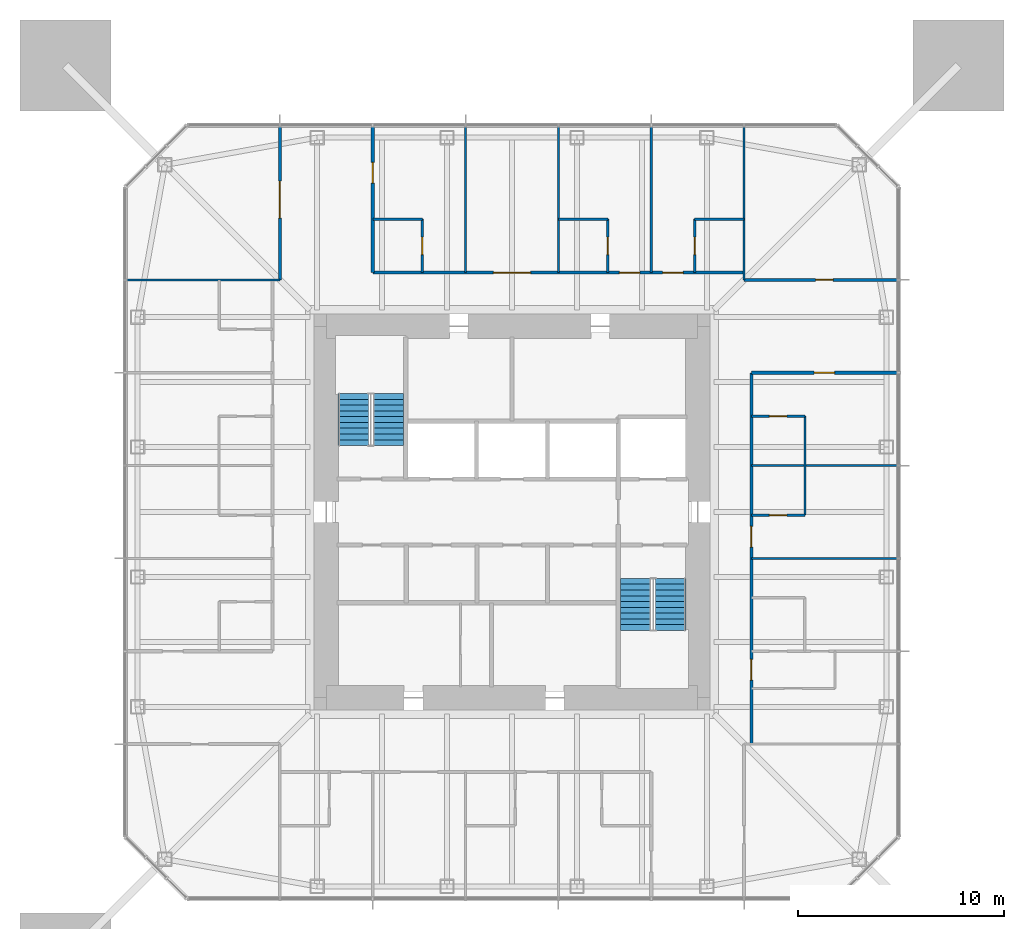
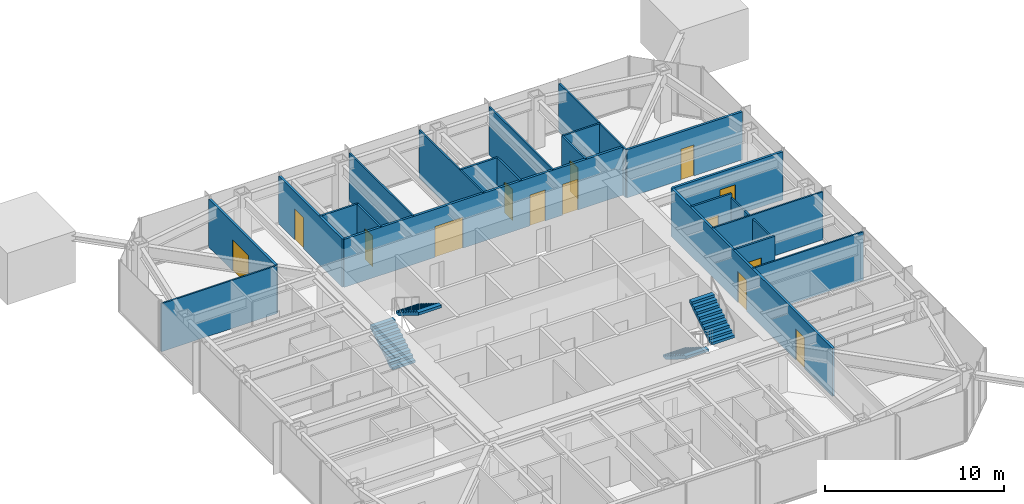
# One storey, part 8 of 11: 22 walls, 14 doors, 4 stair flights, 14 openings, 2 elements without a shape of their own.
"""IFC4 building model written with IfcOpenShell, lengths in metres."""

from ifc_helpers import new_model, si_unit, direction, frame, frame_2d, origin, place, context, subcontext, project, spatial, polyline, rectangle, outline, extrude, material, layer, layer_set, constituent, constituent_set, type_object, element, fill, aggregate, save


model = new_model("IFC4")

# Units and contexts
model_context = context("Model", 3, precision=1e-05, world=origin(), true_north=direction((0.0, 1.0)))
body_context = subcontext(model_context, "Body", "Model", "MODEL_VIEW")
ifc_project = project(units=[si_unit("LENGTHUNIT", "METRE"), si_unit("AREAUNIT", "SQUARE_METRE"), si_unit("VOLUMEUNIT", "CUBIC_METRE"), si_unit("PLANEANGLEUNIT", "RADIAN"), si_unit("MASSUNIT", "GRAM", prefix="KILO")], contexts=[model_context])

# Site, building, storey
site_placement = place(None, origin())
site = spatial("IfcSite", under=ifc_project, at=site_placement, CompositionType="ELEMENT")
building_placement = place(site_placement, origin())
building = spatial("IfcBuilding", under=site, at=building_placement, Name="Iwan Alto Co-Living Towers", CompositionType="ELEMENT")
storey_placement = place(building_placement, frame((0.0, 0.0, 156.5)))
storey = spatial("IfcBuildingStorey", under=building, at=storey_placement, Name="L42", CompositionType="ELEMENT", Elevation=156.5)

# Wall, opening, door
ifc_material_1 = material(Name="Gypsum board")
ifc_layer_1 = layer(ifc_material_1, 0.02490234375, Name="Board", Category="Finish")
ifc_material_2 = material(Name="Steel ASTM A1003 ST33H cold-formed studs", Category="steel")
ifc_layer_2 = layer(ifc_material_2, 0.10009765625, Name="Studs", Category="Framing")
ifc_layer_3 = layer(ifc_material_1, 0.02490234375, Name="Board", Category="Finish")
ifc_layer_set_1 = layer_set([ifc_layer_1, ifc_layer_2, ifc_layer_3], Name="CORRIDOR WALL 150")
wall_type_1 = type_object("IfcWallType", Name="CORRIDOR WALL 150", PredefinedType="PARTITIONING", material=ifc_layer_set_1)
wall_1_placement = place(storey_placement, frame((11.60009765625, 6.75, 0.0), z_axis=(0.0, 0.0, 1.0), x_axis=(1.0, 0.0, 0.0)))
wall_1 = element("IfcWall", 1, at=wall_1_placement, inside=storey, type_object=wall_type_1, Name="Partition L42", PredefinedType="PARTITIONING", context=body_context, shape_type="SweptSolid", body=[
    extrude(rectangle(XDim=7.08984375, YDim=0.14990234375, at=frame_2d((3.544921875, 0.0))), origin(), (0.0, 0.0, 1.0), 3.27001953125),
])
opening_1_placement = place(wall_1_placement, frame((3.044921875, 0.0, 0.0)))
opening_1 = element("IfcOpeningElement", 2, at=opening_1_placement, cuts=wall_1, Name="Opening D3", PredefinedType="OPENING", context=body_context, shape_type="SweptSolid", body=[
    extrude(rectangle(XDim=1.0, YDim=2.10009765625, at=frame_2d((0.5, 1.050048828125))), frame((0.0, 0.0849609375, 0.0), z_axis=(0.0, -1.0, 0.0), x_axis=(1.0, 0.0, 0.0)), (0.0, 0.0, 1.0), 0.169921875),
])
ifc_material_3 = material(Name="Steel frame with timber leaf", Category="steel")
door_type_1 = type_object("IfcDoorType", Name="FLAT ENTRANCE DOOR FD30S 1000X2100", OperationType="SINGLE_SWING_LEFT", PredefinedType="DOOR", material=ifc_material_3)
door_1_placement = place(opening_1_placement, frame((1.0, 0.0, 0.0), z_axis=(0.0, 0.0, 1.0), x_axis=(-1.0, 0.0, 0.0)))
door_1 = element("IfcDoor", 3, at=door_1_placement, inside=storey, type_object=door_type_1, Name="Studio door L42", OperationType="SINGLE_SWING_RIGHT", OverallHeight=2.10009765625, OverallWidth=1.0, PredefinedType="DOOR", context=body_context, shape_type="SweptSolid", body=[
    extrude(rectangle(XDim=1.0, YDim=2.10009765625, at=frame_2d((0.5, 1.050048828125))), frame((0.0, 0.02490234375, 0.0), z_axis=(0.0, -1.0, 0.0), x_axis=(1.0, 0.0, 0.0)), (0.0, 0.0, 1.0), 0.050048828125),
])
fill(opening_1, door_1)

wall_2_placement = place(storey_placement, frame((11.25, 11.25, 0.0), z_axis=(0.0, 0.0, 1.0), x_axis=(1.0, 0.0, 0.0)))
wall_2 = element("IfcWall", 4, at=wall_2_placement, inside=storey, type_object=wall_type_1, Name="Partition L42", PredefinedType="PARTITIONING", context=body_context, shape_type="SweptSolid", body=[
    extrude(rectangle(XDim=7.43994140625, YDim=0.14990234375, at=frame_2d((3.719970703125, 0.0))), origin(), (0.0, 0.0, 1.0), 3.27001953125),
])
opening_2_placement = place(wall_2_placement, frame((3.469970703125, 0.0, 0.0)))
opening_2 = element("IfcOpeningElement", 5, at=opening_2_placement, cuts=wall_2, Name="Opening D2", PredefinedType="OPENING", context=body_context, shape_type="SweptSolid", body=[
    extrude(rectangle(XDim=0.85009765625, YDim=2.10009765625, at=frame_2d((0.425048828125, 1.050048828125))), frame((0.0, 0.0849609375, 0.0), z_axis=(0.0, -1.0, 0.0), x_axis=(1.0, 0.0, 0.0)), (0.0, 0.0, 1.0), 0.169921875),
])
ifc_material_4 = material(Name="Timber leaf in steel frame", Category="steel")
door_type_2 = type_object("IfcDoorType", Name="ROOM DOOR 850X2100", OperationType="SINGLE_SWING_LEFT", PredefinedType="DOOR", material=ifc_material_4)
door_2_placement = place(opening_2_placement, origin())
door_2 = element("IfcDoor", 6, at=door_2_placement, inside=storey, type_object=door_type_2, Name="Shared kitchen and lounge door L42", OperationType="SINGLE_SWING_RIGHT", OverallHeight=2.10009765625, OverallWidth=0.85009765625, PredefinedType="DOOR", context=body_context, shape_type="SweptSolid", body=[
    extrude(rectangle(XDim=0.85009765625, YDim=2.10009765625, at=frame_2d((0.425048828125, 1.050048828125))), frame((0.0, 0.02490234375, 0.0), z_axis=(0.0, -1.0, 0.0), x_axis=(1.0, 0.0, 0.0)), (0.0, 0.0, 1.0), 0.050048828125),
])
fill(opening_2, door_2)

# Wall, openings, doors
wall_3_placement = place(storey_placement, frame((-6.75, 11.60009765625, 0.0), z_axis=(0.0, 0.0, 1.0), x_axis=(1.0, 0.0, 0.0)))
wall_3 = element("IfcWall", 7, at=wall_3_placement, inside=storey, type_object=wall_type_1, Name="Partition L42", PredefinedType="PARTITIONING", context=body_context, shape_type="SweptSolid", body=[
    extrude(rectangle(XDim=18.0, YDim=0.14990234375, at=frame_2d((9.0, 0.0))), origin(), (0.0, 0.0, 1.0), 3.27001953125),
])
opening_3_placement = place(wall_3_placement, frame((14.050048828125, 0.0, 0.0)))
opening_3 = element("IfcOpeningElement", 8, at=opening_3_placement, cuts=wall_3, Name="Opening D3", PredefinedType="OPENING", context=body_context, shape_type="SweptSolid", body=[
    extrude(rectangle(XDim=1.0, YDim=2.10009765625, at=frame_2d((0.5, 1.050048828125))), frame((0.0, 0.0849609375, 0.0), z_axis=(0.0, -1.0, 0.0), x_axis=(1.0, 0.0, 0.0)), (0.0, 0.0, 1.0), 0.169921875),
])
opening_4_placement = place(wall_3_placement, frame((11.949951171875, 0.0, 0.0)))
opening_4 = element("IfcOpeningElement", 9, at=opening_4_placement, cuts=wall_3, Name="Opening D3", PredefinedType="OPENING", context=body_context, shape_type="SweptSolid", body=[
    extrude(rectangle(XDim=1.0, YDim=2.10009765625, at=frame_2d((0.5, 1.050048828125))), frame((0.0, 0.0849609375, 0.0), z_axis=(0.0, -1.0, 0.0), x_axis=(1.0, 0.0, 0.0)), (0.0, 0.0, 1.0), 0.169921875),
])
opening_5_placement = place(wall_3_placement, frame((5.85009765625, 0.0, 0.0)))
opening_5 = element("IfcOpeningElement", 10, at=opening_5_placement, cuts=wall_3, Name="Opening D9", PredefinedType="OPENING", context=body_context, shape_type="SweptSolid", body=[
    extrude(rectangle(XDim=1.800048828125, YDim=2.10009765625, at=frame_2d((0.89990234375, 1.050048828125))), frame((0.0, 0.0849609375, 0.0), z_axis=(0.0, -1.0, 0.0), x_axis=(1.0, 0.0, 0.0)), (0.0, 0.0, 1.0), 0.169921875),
])
door_3_placement = place(opening_3_placement, origin())
door_3 = element("IfcDoor", 11, at=door_3_placement, inside=storey, type_object=door_type_1, Name="Studio door L42", OperationType="SINGLE_SWING_LEFT", OverallHeight=2.10009765625, OverallWidth=1.0, PredefinedType="DOOR", context=body_context, shape_type="SweptSolid", body=[
    extrude(rectangle(XDim=1.0, YDim=2.10009765625, at=frame_2d((0.5, 1.050048828125))), frame((0.0, 0.02490234375, 0.0), z_axis=(0.0, -1.0, 0.0), x_axis=(1.0, 0.0, 0.0)), (0.0, 0.0, 1.0), 0.050048828125),
])
fill(opening_3, door_3)
door_4_placement = place(opening_4_placement, origin())
door_4 = element("IfcDoor", 12, at=door_4_placement, inside=storey, type_object=door_type_1, Name="Studio door L42", OperationType="SINGLE_SWING_LEFT", OverallHeight=2.10009765625, OverallWidth=1.0, PredefinedType="DOOR", context=body_context, shape_type="SweptSolid", body=[
    extrude(rectangle(XDim=1.0, YDim=2.10009765625, at=frame_2d((0.5, 1.050048828125))), frame((0.0, 0.02490234375, 0.0), z_axis=(0.0, -1.0, 0.0), x_axis=(1.0, 0.0, 0.0)), (0.0, 0.0, 1.0), 0.050048828125),
])
fill(opening_4, door_4)
ifc_material_5 = material(Name="Steel frame with timber leaf", Category="steel")
door_type_3 = type_object("IfcDoorType", Name="LOUNGE DOOR FD30S 1800X2100", OperationType="DOUBLE_DOOR_SINGLE_SWING", PredefinedType="DOOR", material=ifc_material_5)
door_5_placement = place(opening_5_placement, origin())
door_5 = element("IfcDoor", 13, at=door_5_placement, inside=storey, type_object=door_type_3, Name="Seminar room door L42", OperationType="DOUBLE_DOOR_SINGLE_SWING", OverallHeight=2.10009765625, OverallWidth=1.800048828125, PredefinedType="DOOR", context=body_context, shape_type="SweptSolid", body=[
    extrude(rectangle(XDim=1.800048828125, YDim=2.10009765625, at=frame_2d((0.89990234375, 1.050048828125))), frame((0.0, 0.02490234375, 0.0), z_axis=(0.0, -1.0, 0.0), x_axis=(1.0, 0.0, 0.0)), (0.0, 0.0, 1.0), 0.050048828125),
])
fill(opening_5, door_5)

wall_4_placement = place(storey_placement, frame((11.60009765625, -11.25, 0.0), z_axis=(0.0, 0.0, 1.0), x_axis=(0.0, 1.0, 0.0)))
wall_4 = element("IfcWall", 14, at=wall_4_placement, inside=storey, type_object=wall_type_1, Name="Partition L42", PredefinedType="PARTITIONING", context=body_context, shape_type="SweptSolid", body=[
    extrude(rectangle(XDim=18.0, YDim=0.14990234375, at=frame_2d((9.0, 0.0))), origin(), (0.0, 0.0, 1.0), 3.27001953125),
])
opening_6_placement = place(wall_4_placement, frame((3.10009765625, 0.0, 0.0)))
opening_6 = element("IfcOpeningElement", 15, at=opening_6_placement, cuts=wall_4, Name="Opening D3", PredefinedType="OPENING", context=body_context, shape_type="SweptSolid", body=[
    extrude(rectangle(XDim=1.0, YDim=2.10009765625, at=frame_2d((0.5, 1.050048828125))), frame((0.0, 0.0849609375, 0.0), z_axis=(0.0, -1.0, 0.0), x_axis=(1.0, 0.0, 0.0)), (0.0, 0.0, 1.0), 0.169921875),
])
opening_7_placement = place(wall_4_placement, frame((9.550048828125, 0.0, 0.0)))
opening_7 = element("IfcOpeningElement", 16, at=opening_7_placement, cuts=wall_4, Name="Opening D3", PredefinedType="OPENING", context=body_context, shape_type="SweptSolid", body=[
    extrude(rectangle(XDim=1.0, YDim=2.10009765625, at=frame_2d((0.5, 1.050048828125))), frame((0.0, 0.0849609375, 0.0), z_axis=(0.0, -1.0, 0.0), x_axis=(1.0, 0.0, 0.0)), (0.0, 0.0, 1.0), 0.169921875),
])
door_6_placement = place(opening_6_placement, frame((1.0, 0.0, 0.0), z_axis=(0.0, 0.0, 1.0), x_axis=(-1.0, 0.0, 0.0)))
door_6 = element("IfcDoor", 17, at=door_6_placement, inside=storey, type_object=door_type_1, Name="Apartment foyer door L42", OperationType="SINGLE_SWING_RIGHT", OverallHeight=2.10009765625, OverallWidth=1.0, PredefinedType="DOOR", context=body_context, shape_type="SweptSolid", body=[
    extrude(rectangle(XDim=1.0, YDim=2.10009765625, at=frame_2d((0.5, 1.050048828125))), frame((0.0, 0.02490234375, 0.0), z_axis=(0.0, -1.0, 0.0), x_axis=(1.0, 0.0, 0.0)), (0.0, 0.0, 1.0), 0.050048828125),
])
fill(opening_6, door_6)
door_7_placement = place(opening_7_placement, frame((1.0, 0.0, 0.0), z_axis=(0.0, 0.0, 1.0), x_axis=(-1.0, 0.0, 0.0)))
door_7 = element("IfcDoor", 18, at=door_7_placement, inside=storey, type_object=door_type_1, Name="Studio door L42", OperationType="SINGLE_SWING_RIGHT", OverallHeight=2.10009765625, OverallWidth=1.0, PredefinedType="DOOR", context=body_context, shape_type="SweptSolid", body=[
    extrude(rectangle(XDim=1.0, YDim=2.10009765625, at=frame_2d((0.5, 1.050048828125))), frame((0.0, 0.02490234375, 0.0), z_axis=(0.0, -1.0, 0.0), x_axis=(1.0, 0.0, 0.0)), (0.0, 0.0, 1.0), 0.050048828125),
])
fill(opening_7, door_7)

# Wall, opening, door
wall_5_placement = place(storey_placement, frame((-6.75, 11.60009765625, 0.0), z_axis=(0.0, 0.0, 1.0), x_axis=(0.0, 1.0, 0.0)))
wall_5 = element("IfcWall", 19, at=wall_5_placement, inside=storey, type_object=wall_type_1, Name="Partition L42", PredefinedType="PARTITIONING", context=body_context, shape_type="SweptSolid", body=[
    extrude(rectangle(XDim=7.08984375, YDim=0.14990234375, at=frame_2d((3.544921875, 0.0))), origin(), (0.0, 0.0, 1.0), 3.27001953125),
])
opening_8_placement = place(wall_5_placement, frame((4.344970703125, 0.0, 0.0)))
opening_8 = element("IfcOpeningElement", 20, at=opening_8_placement, cuts=wall_5, Name="Opening D3", PredefinedType="OPENING", context=body_context, shape_type="SweptSolid", body=[
    extrude(rectangle(XDim=1.0, YDim=2.10009765625, at=frame_2d((0.5, 1.050048828125))), frame((0.0, 0.0849609375, 0.0), z_axis=(0.0, -1.0, 0.0), x_axis=(1.0, 0.0, 0.0)), (0.0, 0.0, 1.0), 0.169921875),
])
door_8_placement = place(opening_8_placement, frame((1.0, 0.0, 0.0), z_axis=(0.0, 0.0, 1.0), x_axis=(-1.0, 0.0, 0.0)))
door_8 = element("IfcDoor", 21, at=door_8_placement, inside=storey, type_object=door_type_1, Name="Studio door L42", OperationType="SINGLE_SWING_RIGHT", OverallHeight=2.10009765625, OverallWidth=1.0, PredefinedType="DOOR", context=body_context, shape_type="SweptSolid", body=[
    extrude(rectangle(XDim=1.0, YDim=2.10009765625, at=frame_2d((0.5, 1.050048828125))), frame((0.0, 0.02490234375, 0.0), z_axis=(0.0, -1.0, 0.0), x_axis=(1.0, 0.0, 0.0)), (0.0, 0.0, 1.0), 0.050048828125),
])
fill(opening_8, door_8)

wall_6_placement = place(storey_placement, frame((-11.25, 11.25, 0.0), z_axis=(0.0, 0.0, 1.0), x_axis=(0.0, 1.0, 0.0)))
wall_6 = element("IfcWall", 22, at=wall_6_placement, inside=storey, type_object=wall_type_1, Name="Partition L42", PredefinedType="PARTITIONING", context=body_context, shape_type="SweptSolid", body=[
    extrude(rectangle(XDim=7.43994140625, YDim=0.14990234375, at=frame_2d((3.719970703125, 0.0))), origin(), (0.0, 0.0, 1.0), 3.27001953125),
])
opening_9_placement = place(wall_6_placement, frame((2.9951171875, 0.0, 0.0)))
opening_9 = element("IfcOpeningElement", 23, at=opening_9_placement, cuts=wall_6, Name="Opening D9", PredefinedType="OPENING", context=body_context, shape_type="SweptSolid", body=[
    extrude(rectangle(XDim=1.800048828125, YDim=2.10009765625, at=frame_2d((0.89990234375, 1.050048828125))), frame((0.0, 0.0849609375, 0.0), z_axis=(0.0, -1.0, 0.0), x_axis=(1.0, 0.0, 0.0)), (0.0, 0.0, 1.0), 0.169921875),
])
door_9_placement = place(opening_9_placement, origin())
door_9 = element("IfcDoor", 24, at=door_9_placement, inside=storey, type_object=door_type_3, Name="Courtyard lounge door L42", OperationType="DOUBLE_DOOR_SINGLE_SWING", OverallHeight=2.10009765625, OverallWidth=1.800048828125, PredefinedType="DOOR", context=body_context, shape_type="SweptSolid", body=[
    extrude(rectangle(XDim=1.800048828125, YDim=2.10009765625, at=frame_2d((0.89990234375, 1.050048828125))), frame((0.0, 0.02490234375, 0.0), z_axis=(0.0, -1.0, 0.0), x_axis=(1.0, 0.0, 0.0)), (0.0, 0.0, 1.0), 0.050048828125),
])
fill(opening_9, door_9)

# Walls
ifc_layer_4 = layer(ifc_material_1, 0.012451171875, Name="Board", Category="Finish")
ifc_layer_5 = layer(ifc_material_2, 0.074951171875, Name="Studs", Category="Framing")
ifc_layer_6 = layer(ifc_material_1, 0.012451171875, Name="Board", Category="Finish")
ifc_layer_set_2 = layer_set([ifc_layer_4, ifc_layer_5, ifc_layer_6], Name="PARTITION 100")
wall_type_2 = type_object("IfcWallType", Name="PARTITION 100", PredefinedType="PARTITIONING", material=ifc_layer_set_2)
for number, where, z_axis, x_axis, name in (
    (25, (11.60009765625, -2.25, 0.0), (0.0, 0.0, 1.0), (1.0, 0.0, 0.0), "Partition L42"),
    (26, (11.60009765625, 2.25, 0.0), (0.0, 0.0, 1.0), (1.0, 0.0, 0.0), "Partition L42"),
):
    element("IfcWall", number, at=place(storey_placement, frame(where, z_axis=z_axis, x_axis=x_axis)), inside=storey, type_object=wall_type_2, Name=name, PredefinedType="PARTITIONING", context=body_context, shape_type="SweptSolid", body=[
        extrude(rectangle(XDim=7.08984375, YDim=0.10009765625, at=frame_2d((3.544921875, 0.0))), origin(), (0.0, 0.0, 1.0), 3.27001953125),
    ])
wall_7_placement = place(storey_placement, frame((-18.68994140625, 11.25, 0.0), z_axis=(0.0, 0.0, 1.0), x_axis=(1.0, 0.0, 0.0)))
element("IfcWall", 27, at=wall_7_placement, inside=storey, type_object=wall_type_2, Name="Partition L42", PredefinedType="PARTITIONING", context=body_context, shape_type="SweptSolid", body=[
    extrude(rectangle(XDim=7.43994140625, YDim=0.10009765625, at=frame_2d((3.719970703125, 0.0))), origin(), (0.0, 0.0, 1.0), 3.27001953125),
])
wall_8_placement = place(storey_placement, frame((14.199951171875, -0.14990234375, 0.0), z_axis=(0.0, 0.0, 1.0), x_axis=(0.0, 1.0, 0.0)))
element("IfcWall", 28, at=wall_8_placement, inside=storey, type_object=wall_type_2, Name="Partition L42", PredefinedType="PARTITIONING", context=body_context, shape_type="SweptSolid", body=[
    extrude(rectangle(XDim=4.7998046875, YDim=0.10009765625, at=frame_2d((2.39990234375, 0.0))), origin(), (0.0, 0.0, 1.0), 3.0),
])
wall_9_placement = place(storey_placement, frame((11.25, 11.25, 0.0), z_axis=(0.0, 0.0, 1.0), x_axis=(0.0, 1.0, 0.0)))
element("IfcWall", 29, at=wall_9_placement, inside=storey, type_object=wall_type_2, Name="Partition L42", PredefinedType="PARTITIONING", context=body_context, shape_type="SweptSolid", body=[
    extrude(rectangle(XDim=7.43994140625, YDim=0.10009765625, at=frame_2d((3.719970703125, 0.0))), origin(), (0.0, 0.0, 1.0), 3.27001953125),
])
for number, where, z_axis, x_axis, name in (
    (30, (6.75, 11.60009765625, 0.0), (0.0, 0.0, 1.0), (0.0, 1.0, 0.0), "Partition L42"),
    (31, (2.25, 11.60009765625, 0.0), (0.0, 0.0, 1.0), (0.0, 1.0, 0.0), "Partition L42"),
    (32, (-2.25, 11.60009765625, 0.0), (0.0, 0.0, 1.0), (0.0, 1.0, 0.0), "Partition L42"),
):
    element("IfcWall", number, at=place(storey_placement, frame(where, z_axis=z_axis, x_axis=x_axis)), inside=storey, type_object=wall_type_2, Name=name, PredefinedType="PARTITIONING", context=body_context, shape_type="SweptSolid", body=[
        extrude(rectangle(XDim=7.08984375, YDim=0.10009765625, at=frame_2d((3.544921875, 0.0))), origin(), (0.0, 0.0, 1.0), 3.27001953125),
    ])

# Wall, opening, door
ifc_material_6 = material(Name="Cement board")
ifc_layer_7 = layer(ifc_material_6, 0.012451171875, Name="Board", Category="Finish")
ifc_layer_8 = layer(ifc_material_2, 0.094970703125, Name="Studs", Category="Framing")
ifc_layer_9 = layer(ifc_material_6, 0.012451171875, Name="Board", Category="Finish")
ifc_layer_set_3 = layer_set([ifc_layer_7, ifc_layer_8, ifc_layer_9], Name="WET AREA PARTITION 120")
wall_type_3 = type_object("IfcWallType", Name="WET AREA PARTITION 120", PredefinedType="PARTITIONING", material=ifc_layer_set_3)
wall_10_placement = place(storey_placement, frame((11.60009765625, -0.14990234375, 0.0), z_axis=(0.0, 0.0, 1.0), x_axis=(1.0, 0.0, 0.0)))
wall_10 = element("IfcWall", 33, at=wall_10_placement, inside=storey, type_object=wall_type_3, Name="Partition L42", PredefinedType="PARTITIONING", context=body_context, shape_type="SweptSolid", body=[
    extrude(rectangle(XDim=2.599853515625, YDim=0.1201171875, at=frame_2d((1.2998046875, 0.0))), origin(), (0.0, 0.0, 1.0), 3.27001953125),
])
opening_10_placement = place(wall_10_placement, frame((0.875, 0.0, 0.0)))
opening_10 = element("IfcOpeningElement", 34, at=opening_10_placement, cuts=wall_10, Name="Opening D2", PredefinedType="OPENING", context=body_context, shape_type="SweptSolid", body=[
    extrude(rectangle(XDim=0.85009765625, YDim=2.10009765625, at=frame_2d((0.425048828125, 1.050048828125))), frame((0.0, 0.070068359375, 0.0), z_axis=(0.0, -1.0, 0.0), x_axis=(1.0, 0.0, 0.0)), (0.0, 0.0, 1.0), 0.14013671875),
])
door_10_placement = place(opening_10_placement, frame((0.85009765625, 0.0, 0.0), z_axis=(0.0, 0.0, 1.0), x_axis=(-1.0, 0.0, 0.0)))
door_10 = element("IfcDoor", 35, at=door_10_placement, inside=storey, type_object=door_type_2, Name="En-suite shower room door L42", OperationType="SINGLE_SWING_RIGHT", OverallHeight=2.10009765625, OverallWidth=0.85009765625, PredefinedType="DOOR", context=body_context, shape_type="SweptSolid", body=[
    extrude(rectangle(XDim=0.85009765625, YDim=2.10009765625, at=frame_2d((0.425048828125, 1.050048828125))), frame((0.0, 0.02490234375, 0.0), z_axis=(0.0, -1.0, 0.0), x_axis=(1.0, 0.0, 0.0)), (0.0, 0.0, 1.0), 0.050048828125),
])
fill(opening_10, door_10)

wall_11_placement = place(storey_placement, frame((11.60009765625, 4.64990234375, 0.0), z_axis=(0.0, 0.0, 1.0), x_axis=(1.0, 0.0, 0.0)))
wall_11 = element("IfcWall", 36, at=wall_11_placement, inside=storey, type_object=wall_type_3, Name="Partition L42", PredefinedType="PARTITIONING", context=body_context, shape_type="SweptSolid", body=[
    extrude(rectangle(XDim=2.599853515625, YDim=0.1201171875, at=frame_2d((1.2998046875, 0.0))), origin(), (0.0, 0.0, 1.0), 3.27001953125),
])
opening_11_placement = place(wall_11_placement, frame((0.875, 0.0, 0.0)))
opening_11 = element("IfcOpeningElement", 37, at=opening_11_placement, cuts=wall_11, Name="Opening D2", PredefinedType="OPENING", context=body_context, shape_type="SweptSolid", body=[
    extrude(rectangle(XDim=0.85009765625, YDim=2.10009765625, at=frame_2d((0.425048828125, 1.050048828125))), frame((0.0, 0.070068359375, 0.0), z_axis=(0.0, -1.0, 0.0), x_axis=(1.0, 0.0, 0.0)), (0.0, 0.0, 1.0), 0.14013671875),
])
door_11_placement = place(opening_11_placement, origin())
door_11 = element("IfcDoor", 38, at=door_11_placement, inside=storey, type_object=door_type_2, Name="En-suite shower room door L42", OperationType="SINGLE_SWING_LEFT", OverallHeight=2.10009765625, OverallWidth=0.85009765625, PredefinedType="DOOR", context=body_context, shape_type="SweptSolid", body=[
    extrude(rectangle(XDim=0.85009765625, YDim=2.10009765625, at=frame_2d((0.425048828125, 1.050048828125))), frame((0.0, 0.02490234375, 0.0), z_axis=(0.0, -1.0, 0.0), x_axis=(1.0, 0.0, 0.0)), (0.0, 0.0, 1.0), 0.050048828125),
])
fill(opening_11, door_11)

# Walls
for number, where, z_axis, x_axis, name in (
    (39, (-6.75, 14.199951171875, 0.0), (0.0, 0.0, 1.0), (1.0, 0.0, 0.0), "Partition L42"),
    (40, (2.25, 14.199951171875, 0.0), (0.0, 0.0, 1.0), (1.0, 0.0, 0.0), "Partition L42"),
    (41, (8.85009765625, 14.199951171875, 0.0), (0.0, 0.0, 1.0), (1.0, 0.0, 0.0), "Partition L42"),
):
    element("IfcWall", number, at=place(storey_placement, frame(where, z_axis=z_axis, x_axis=x_axis)), inside=storey, type_object=wall_type_3, Name=name, PredefinedType="PARTITIONING", context=body_context, shape_type="SweptSolid", body=[
        extrude(rectangle(XDim=2.39990234375, YDim=0.1201171875, at=frame_2d((1.199951171875, 0.0))), origin(), (0.0, 0.0, 1.0), 3.27001953125),
    ])

# Wall, opening, door
wall_12_placement = place(storey_placement, frame((8.85009765625, 11.60009765625, 0.0), z_axis=(0.0, 0.0, 1.0), x_axis=(0.0, 1.0, 0.0)))
wall_12 = element("IfcWall", 42, at=wall_12_placement, inside=storey, type_object=wall_type_3, Name="Partition L42", PredefinedType="PARTITIONING", context=body_context, shape_type="SweptSolid", body=[
    extrude(rectangle(XDim=2.599853515625, YDim=0.1201171875, at=frame_2d((1.2998046875, 0.0))), origin(), (0.0, 0.0, 1.0), 3.27001953125),
])
opening_12_placement = place(wall_12_placement, frame((0.875, 0.0, 0.0)))
opening_12 = element("IfcOpeningElement", 43, at=opening_12_placement, cuts=wall_12, Name="Opening D2", PredefinedType="OPENING", context=body_context, shape_type="SweptSolid", body=[
    extrude(rectangle(XDim=0.85009765625, YDim=2.10009765625, at=frame_2d((0.425048828125, 1.050048828125))), frame((0.0, 0.070068359375, 0.0), z_axis=(0.0, -1.0, 0.0), x_axis=(1.0, 0.0, 0.0)), (0.0, 0.0, 1.0), 0.14013671875),
])
door_12_placement = place(opening_12_placement, origin())
door_12 = element("IfcDoor", 44, at=door_12_placement, inside=storey, type_object=door_type_2, Name="En-suite shower room door L42", OperationType="SINGLE_SWING_LEFT", OverallHeight=2.10009765625, OverallWidth=0.85009765625, PredefinedType="DOOR", context=body_context, shape_type="SweptSolid", body=[
    extrude(rectangle(XDim=0.85009765625, YDim=2.10009765625, at=frame_2d((0.425048828125, 1.050048828125))), frame((0.0, 0.02490234375, 0.0), z_axis=(0.0, -1.0, 0.0), x_axis=(1.0, 0.0, 0.0)), (0.0, 0.0, 1.0), 0.050048828125),
])
fill(opening_12, door_12)

wall_13_placement = place(storey_placement, frame((4.64990234375, 11.60009765625, 0.0), z_axis=(0.0, 0.0, 1.0), x_axis=(0.0, 1.0, 0.0)))
wall_13 = element("IfcWall", 45, at=wall_13_placement, inside=storey, type_object=wall_type_3, Name="Partition L42", PredefinedType="PARTITIONING", context=body_context, shape_type="SweptSolid", body=[
    extrude(rectangle(XDim=2.599853515625, YDim=0.1201171875, at=frame_2d((1.2998046875, 0.0))), origin(), (0.0, 0.0, 1.0), 3.27001953125),
])
opening_13_placement = place(wall_13_placement, frame((0.875, 0.0, 0.0)))
opening_13 = element("IfcOpeningElement", 46, at=opening_13_placement, cuts=wall_13, Name="Opening D2", PredefinedType="OPENING", context=body_context, shape_type="SweptSolid", body=[
    extrude(rectangle(XDim=0.85009765625, YDim=2.10009765625, at=frame_2d((0.425048828125, 1.050048828125))), frame((0.0, 0.070068359375, 0.0), z_axis=(0.0, -1.0, 0.0), x_axis=(1.0, 0.0, 0.0)), (0.0, 0.0, 1.0), 0.14013671875),
])
door_13_placement = place(opening_13_placement, frame((0.85009765625, 0.0, 0.0), z_axis=(0.0, 0.0, 1.0), x_axis=(-1.0, 0.0, 0.0)))
door_13 = element("IfcDoor", 47, at=door_13_placement, inside=storey, type_object=door_type_2, Name="En-suite shower room door L42", OperationType="SINGLE_SWING_RIGHT", OverallHeight=2.10009765625, OverallWidth=0.85009765625, PredefinedType="DOOR", context=body_context, shape_type="SweptSolid", body=[
    extrude(rectangle(XDim=0.85009765625, YDim=2.10009765625, at=frame_2d((0.425048828125, 1.050048828125))), frame((0.0, 0.02490234375, 0.0), z_axis=(0.0, -1.0, 0.0), x_axis=(1.0, 0.0, 0.0)), (0.0, 0.0, 1.0), 0.050048828125),
])
fill(opening_13, door_13)

wall_14_placement = place(storey_placement, frame((-4.35009765625, 11.60009765625, 0.0), z_axis=(0.0, 0.0, 1.0), x_axis=(0.0, 1.0, 0.0)))
wall_14 = element("IfcWall", 48, at=wall_14_placement, inside=storey, type_object=wall_type_3, Name="Partition L42", PredefinedType="PARTITIONING", context=body_context, shape_type="SweptSolid", body=[
    extrude(rectangle(XDim=2.599853515625, YDim=0.1201171875, at=frame_2d((1.2998046875, 0.0))), origin(), (0.0, 0.0, 1.0), 3.27001953125),
])
opening_14_placement = place(wall_14_placement, frame((0.875, 0.0, 0.0)))
opening_14 = element("IfcOpeningElement", 49, at=opening_14_placement, cuts=wall_14, Name="Opening D2", PredefinedType="OPENING", context=body_context, shape_type="SweptSolid", body=[
    extrude(rectangle(XDim=0.85009765625, YDim=2.10009765625, at=frame_2d((0.425048828125, 1.050048828125))), frame((0.0, 0.070068359375, 0.0), z_axis=(0.0, -1.0, 0.0), x_axis=(1.0, 0.0, 0.0)), (0.0, 0.0, 1.0), 0.14013671875),
])
door_14_placement = place(opening_14_placement, frame((0.85009765625, 0.0, 0.0), z_axis=(0.0, 0.0, 1.0), x_axis=(-1.0, 0.0, 0.0)))
door_14 = element("IfcDoor", 50, at=door_14_placement, inside=storey, type_object=door_type_2, Name="En-suite shower room door L42", OperationType="SINGLE_SWING_RIGHT", OverallHeight=2.10009765625, OverallWidth=0.85009765625, PredefinedType="DOOR", context=body_context, shape_type="SweptSolid", body=[
    extrude(rectangle(XDim=0.85009765625, YDim=2.10009765625, at=frame_2d((0.425048828125, 1.050048828125))), frame((0.0, 0.02490234375, 0.0), z_axis=(0.0, -1.0, 0.0), x_axis=(1.0, 0.0, 0.0)), (0.0, 0.0, 1.0), 0.050048828125),
])
fill(opening_14, door_14)

# Stair, stair flights
ifc_material_7 = material(Name="Steel ASTM A36", Category="steel")
ifc_constituent_1 = constituent(ifc_material_7, Name="Stringers", Category="LoadBearing")
ifc_material_8 = material(Name="Concrete f'c 30 MPa", Category="concrete")
ifc_constituent_2 = constituent(ifc_material_8, Name="Tread fill", Category="Finish")
ifc_constituent_set_1 = constituent_set(constituents=[ifc_constituent_1, ifc_constituent_2], Name="STAIR 3500 TWO-FLIGHT T1 CORE")
stair_type = type_object("IfcStairType", Name="STAIR 3500 TWO-FLIGHT T1 CORE", PredefinedType="HALF_TURN_STAIR", material=ifc_constituent_set_1)
stair_1_placement = place(storey_placement, origin())
stair_1 = element("IfcStair", 51, at=stair_1_placement, inside=storey, type_object=stair_type, Name="Stair T1-S1 L42 to L43", PredefinedType="HALF_TURN_STAIR")
ifc_constituent_3 = constituent(ifc_material_7, Name="Stringers", Category="LoadBearing")
ifc_constituent_4 = constituent(ifc_material_8, Name="Tread fill", Category="Finish")
ifc_constituent_set_2 = constituent_set(constituents=[ifc_constituent_3, ifc_constituent_4], Name="STAIR FLIGHT 10 RISERS 280 GOING")
stair_flight_type = type_object("IfcStairFlightType", Name="STAIR FLIGHT 10 RISERS 280 GOING", PredefinedType="STRAIGHT", material=ifc_constituent_set_2)
stair_flight_1_placement = place(storey_placement, frame((-7.68994140625, 3.219970703125, 0.0), z_axis=(0.0, 0.0, 1.0), x_axis=(0.0, 1.0, 0.0)))
stair_flight_1 = element("IfcStairFlight", 52, at=stair_flight_1_placement, type_object=stair_flight_type, Name="T1-S1 flight 1", NumberOfRisers=10, NumberOfTreads=9, PredefinedType="STRAIGHT", RiserHeight=0.175, TreadLength=0.28, context=body_context, shape_type="SweptSolid", body=[
    extrude(outline(polyline([(0.0, 0.0), (0.0, 0.175048828125), (0.280029296875, 0.175048828125), (0.280029296875, 0.35009765625), (0.56005859375, 0.35009765625), (0.56005859375, 0.52490234375), (0.840087890625, 0.52490234375), (0.840087890625, 0.699951171875), (1.1201171875, 0.699951171875), (1.1201171875, 0.875), (1.39990234375, 0.875), (1.39990234375, 1.050048828125), (1.679931640625, 1.050048828125), (1.679931640625, 1.22509765625), (1.9599609375, 1.22509765625), (1.9599609375, 1.39990234375), (2.239990234375, 1.39990234375), (2.239990234375, 1.574951171875), (2.52001953125, 1.574951171875), (2.52001953125, 1.75), (2.52001953125, 1.398193359375), (0.28271484375, 0.0), (0.0, 0.0)])), frame((0.0, 0.739990234375, 0.0), z_axis=(0.0, -1.0, 0.0), x_axis=(1.0, 0.0, 0.0)), (0.0, 0.0, 1.0), 1.47998046875),
])
stair_flight_2_placement = place(storey_placement, frame((-6.010009765625, 5.739990234375, 1.75), z_axis=(0.0, 0.0, 1.0), x_axis=(0.0, -1.0, 0.0)))
stair_flight_2 = element("IfcStairFlight", 53, at=stair_flight_2_placement, type_object=stair_flight_type, Name="T1-S1 flight 2", NumberOfRisers=10, NumberOfTreads=9, PredefinedType="STRAIGHT", RiserHeight=0.175, TreadLength=0.28, context=body_context, shape_type="SweptSolid", body=[
    extrude(outline(polyline([(0.0, 0.0), (0.0, 0.175048828125), (0.280029296875, 0.175048828125), (0.280029296875, 0.35009765625), (0.56005859375, 0.35009765625), (0.56005859375, 0.52490234375), (0.840087890625, 0.52490234375), (0.840087890625, 0.699951171875), (1.1201171875, 0.699951171875), (1.1201171875, 0.875), (1.39990234375, 0.875), (1.39990234375, 1.050048828125), (1.679931640625, 1.050048828125), (1.679931640625, 1.22509765625), (1.9599609375, 1.22509765625), (1.9599609375, 1.39990234375), (2.239990234375, 1.39990234375), (2.239990234375, 1.574951171875), (2.52001953125, 1.574951171875), (2.52001953125, 1.75), (2.52001953125, 1.398193359375), (0.28271484375, 0.0), (0.0, 0.0)])), frame((0.0, 0.739990234375, 0.0), z_axis=(0.0, -1.0, 0.0), x_axis=(1.0, 0.0, 0.0)), (0.0, 0.0, 1.0), 1.47998046875),
])
aggregate(stair_1, [stair_flight_1, stair_flight_2])

stair_2_placement = place(storey_placement, origin())
stair_2 = element("IfcStair", 54, at=stair_2_placement, inside=storey, type_object=stair_type, Name="Stair T1-S2 L42 to L43", PredefinedType="HALF_TURN_STAIR")
stair_flight_3_placement = place(storey_placement, frame((6.010009765625, -3.219970703125, 0.0), z_axis=(0.0, 0.0, 1.0), x_axis=(0.0, -1.0, 0.0)))
stair_flight_3 = element("IfcStairFlight", 55, at=stair_flight_3_placement, type_object=stair_flight_type, Name="T1-S2 flight 1", NumberOfRisers=10, NumberOfTreads=9, PredefinedType="STRAIGHT", RiserHeight=0.175, TreadLength=0.28, context=body_context, shape_type="SweptSolid", body=[
    extrude(outline(polyline([(0.0, 0.0), (0.0, 0.175048828125), (0.280029296875, 0.175048828125), (0.280029296875, 0.35009765625), (0.56005859375, 0.35009765625), (0.56005859375, 0.52490234375), (0.840087890625, 0.52490234375), (0.840087890625, 0.699951171875), (1.1201171875, 0.699951171875), (1.1201171875, 0.875), (1.39990234375, 0.875), (1.39990234375, 1.050048828125), (1.679931640625, 1.050048828125), (1.679931640625, 1.22509765625), (1.9599609375, 1.22509765625), (1.9599609375, 1.39990234375), (2.239990234375, 1.39990234375), (2.239990234375, 1.574951171875), (2.52001953125, 1.574951171875), (2.52001953125, 1.75), (2.52001953125, 1.398193359375), (0.28271484375, 0.0), (0.0, 0.0)])), frame((0.0, 0.739990234375, 0.0), z_axis=(0.0, -1.0, 0.0), x_axis=(1.0, 0.0, 0.0)), (0.0, 0.0, 1.0), 1.47998046875),
])
stair_flight_4_placement = place(storey_placement, frame((7.68994140625, -5.739990234375, 1.75), z_axis=(0.0, 0.0, 1.0), x_axis=(0.0, 1.0, 0.0)))
stair_flight_4 = element("IfcStairFlight", 56, at=stair_flight_4_placement, type_object=stair_flight_type, Name="T1-S2 flight 2", NumberOfRisers=10, NumberOfTreads=9, PredefinedType="STRAIGHT", RiserHeight=0.175, TreadLength=0.28, context=body_context, shape_type="SweptSolid", body=[
    extrude(outline(polyline([(0.0, 0.0), (0.0, 0.175048828125), (0.280029296875, 0.175048828125), (0.280029296875, 0.35009765625), (0.56005859375, 0.35009765625), (0.56005859375, 0.52490234375), (0.840087890625, 0.52490234375), (0.840087890625, 0.699951171875), (1.1201171875, 0.699951171875), (1.1201171875, 0.875), (1.39990234375, 0.875), (1.39990234375, 1.050048828125), (1.679931640625, 1.050048828125), (1.679931640625, 1.22509765625), (1.9599609375, 1.22509765625), (1.9599609375, 1.39990234375), (2.239990234375, 1.39990234375), (2.239990234375, 1.574951171875), (2.52001953125, 1.574951171875), (2.52001953125, 1.75), (2.52001953125, 1.398193359375), (0.28271484375, 0.0), (0.0, 0.0)])), frame((0.0, 0.739990234375, 0.0), z_axis=(0.0, -1.0, 0.0), x_axis=(1.0, 0.0, 0.0)), (0.0, 0.0, 1.0), 1.47998046875),
])
aggregate(stair_2, [stair_flight_3, stair_flight_4])

save(model, "model.ifc")
